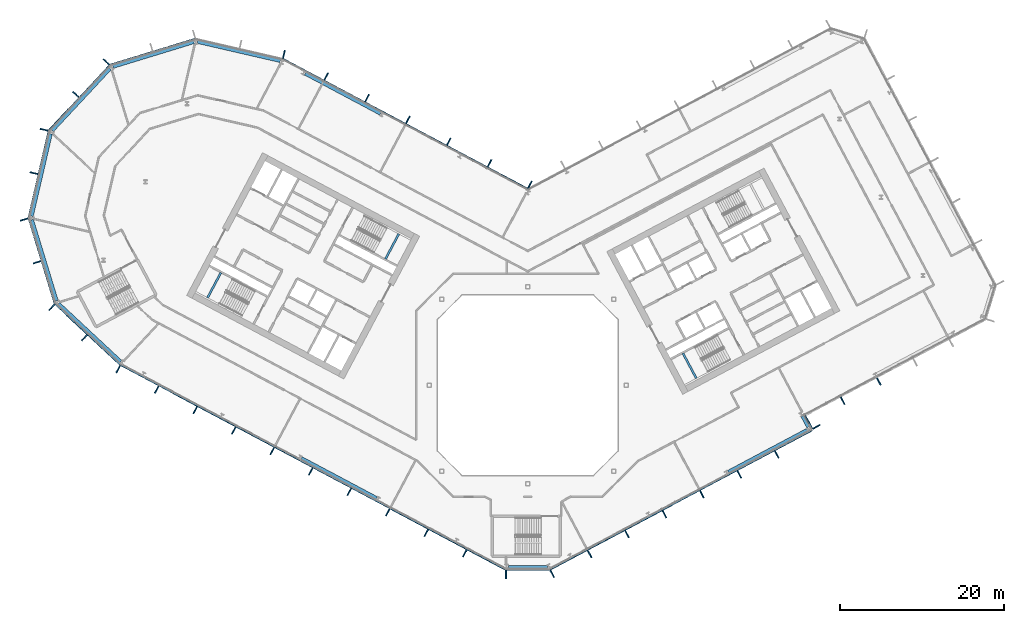
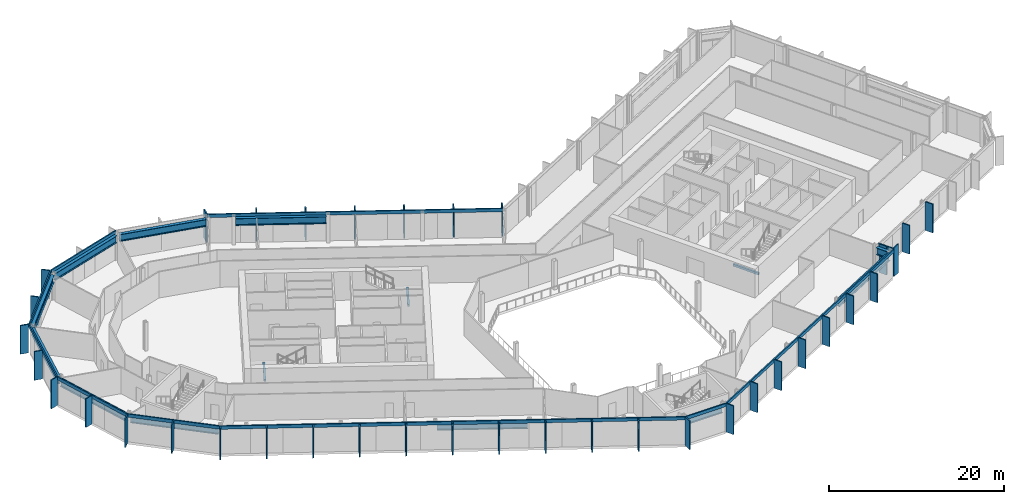
# One storey, part 9 of 28: 47 members, 14 beams, 12 elements without a shape of their own.
"""IFC4 building model written with IfcOpenShell, lengths in metres."""

from ifc_helpers import new_model, si_unit, direction, frame, origin, origin_2d, place, context, subcontext, project, spatial, rectangle, i_section, extrude, material, layer, layer_set, material_profile, profile_set, type_object, element, aggregate, save


model = new_model("IFC4")

# Units and contexts
model_context = context("Model", 3, precision=1e-05, world=origin(), true_north=direction((0.0, 1.0)))
body_context = subcontext(model_context, "Body", "Model", "MODEL_VIEW")
ifc_project = project(units=[si_unit("LENGTHUNIT", "METRE"), si_unit("AREAUNIT", "SQUARE_METRE"), si_unit("VOLUMEUNIT", "CUBIC_METRE"), si_unit("PLANEANGLEUNIT", "RADIAN"), si_unit("MASSUNIT", "GRAM", prefix="KILO")], contexts=[model_context])

# Site, building, storey
site_placement = place(None, origin())
site = spatial("IfcSite", under=ifc_project, at=site_placement, CompositionType="ELEMENT")
building_placement = place(site_placement, origin())
building = spatial("IfcBuilding", under=site, at=building_placement, Name="Cormorant Relay Tower", CompositionType="ELEMENT")
storey_placement = place(building_placement, frame((0.0, 0.0, 154.199951171875)))
storey = spatial("IfcBuildingStorey", under=building, at=storey_placement, Name="L32", CompositionType="ELEMENT", Elevation=154.199951171875)

# Curtain wall, member
ifc_material_1 = material(Name="Aluminium 6063-T6 anodised bronze", Category="aluminium")
ifc_layer = layer(ifc_material_1, 0.199951171875)
ifc_layer_set = layer_set([ifc_layer], Name="CW1 unitised bronze curtain wall with vertical fins")
curtain_wall_type = type_object("IfcCurtainWallType", Name="CW1 unitised bronze curtain wall with vertical fins", PredefinedType="NOTDEFINED", material=ifc_layer_set)
curtain_wall_1_placement = place(storey_placement, origin())
curtain_wall_1 = element("IfcCurtainWall", 1, at=curtain_wall_1_placement, inside=storey, type_object=curtain_wall_type, Name="CW1 curtain wall 1", PredefinedType="NOTDEFINED")
ifc_material_2 = material(Name="Aluminium 6063-T6 anodised bronze", Category="aluminium")
ifc_material_profile_1 = material_profile(ifc_material_2, rectangle(XDim=0.14990234375, YDim=1.0, at=origin_2d()), Name="AL 150x1000")
ifc_profile_set_1 = profile_set([ifc_material_profile_1], Name="Aluminium 6063-T6 anodised bronze")
member_type_1 = type_object("IfcMemberType", Name="CW1 bronze fin mullion 150 x 1000", PredefinedType="MULLION", material=ifc_profile_set_1)
member_1_placement = place(storey_placement, frame((-2.648681640625, -23.07568359375, 0.0), z_axis=(0.0, 0.0, 1.0), x_axis=(1.0, 0.0, 0.0)))
member_1 = element("IfcMember", 2, at=member_1_placement, type_object=member_type_1, Name="CW1 fin 1.1", PredefinedType="MULLION", context=body_context, shape_type="SweptSolid", body=[
    extrude(rectangle(XDim=0.14990234375, YDim=1.0, at=origin_2d()), origin(), (0.0, 0.0, 1.0), 4.0),
])

# Curtain wall, members
curtain_wall_2_placement = place(storey_placement, origin())
curtain_wall_2 = element("IfcCurtainWall", 3, at=curtain_wall_2_placement, inside=storey, type_object=curtain_wall_type, Name="CW1 curtain wall 2", PredefinedType="NOTDEFINED")
member_2_placement = place(storey_placement, frame((2.9775390625, -22.99365234375, 0.0), z_axis=(0.0, 0.0, 1.0), x_axis=(0.882947592859, 0.469471562786, 0.0)))
member_2 = element("IfcMember", 4, at=member_2_placement, type_object=member_type_1, Name="CW1 fin 2.1", PredefinedType="MULLION", context=body_context, shape_type="SweptSolid", body=[
    extrude(rectangle(XDim=0.14990234375, YDim=1.0, at=origin_2d()), origin(), (0.0, 0.0, 1.0), 4.0),
])
member_3_placement = place(storey_placement, frame((7.539306640625, -20.568115234375, 0.0), z_axis=(0.0, 0.0, 1.0), x_axis=(0.882947592859, 0.469471562786, 0.0)))
member_3 = element("IfcMember", 5, at=member_3_placement, type_object=member_type_1, Name="CW1 fin 2.2", PredefinedType="MULLION", context=body_context, shape_type="SweptSolid", body=[
    extrude(rectangle(XDim=0.14990234375, YDim=1.0, at=origin_2d()), origin(), (0.0, 0.0, 1.0), 4.0),
])
member_4_placement = place(storey_placement, frame((12.10107421875, -18.142578125, 0.0), z_axis=(0.0, 0.0, 1.0), x_axis=(0.882947592859, 0.469471562786, 0.0)))
member_4 = element("IfcMember", 6, at=member_4_placement, type_object=member_type_1, Name="CW1 fin 2.3", PredefinedType="MULLION", context=body_context, shape_type="SweptSolid", body=[
    extrude(rectangle(XDim=0.14990234375, YDim=1.0, at=origin_2d()), origin(), (0.0, 0.0, 1.0), 4.0),
])
member_5_placement = place(storey_placement, frame((16.662841796875, -15.717041015625, 0.0), z_axis=(0.0, 0.0, 1.0), x_axis=(0.882947592859, 0.469471562786, 0.0)))
member_5 = element("IfcMember", 7, at=member_5_placement, type_object=member_type_1, Name="CW1 fin 2.4", PredefinedType="MULLION", context=body_context, shape_type="SweptSolid", body=[
    extrude(rectangle(XDim=0.14990234375, YDim=1.0, at=origin_2d()), origin(), (0.0, 0.0, 1.0), 4.0),
])
member_6_placement = place(storey_placement, frame((21.224609375, -13.29150390625, 0.0), z_axis=(0.0, 0.0, 1.0), x_axis=(0.882947592859, 0.469471562786, 0.0)))
member_6 = element("IfcMember", 8, at=member_6_placement, type_object=member_type_1, Name="CW1 fin 2.5", PredefinedType="MULLION", context=body_context, shape_type="SweptSolid", body=[
    extrude(rectangle(XDim=0.14990234375, YDim=1.0, at=origin_2d()), origin(), (0.0, 0.0, 1.0), 4.0),
])
member_7_placement = place(storey_placement, frame((25.78662109375, -10.865966796875, 0.0), z_axis=(0.0, 0.0, 1.0), x_axis=(0.882947592859, 0.469471562786, 0.0)))
member_7 = element("IfcMember", 9, at=member_7_placement, type_object=member_type_1, Name="CW1 fin 2.6", PredefinedType="MULLION", context=body_context, shape_type="SweptSolid", body=[
    extrude(rectangle(XDim=0.14990234375, YDim=1.0, at=origin_2d()), origin(), (0.0, 0.0, 1.0), 4.0),
])
member_8_placement = place(storey_placement, frame((30.348388671875, -8.440185546875, 0.0), z_axis=(0.0, 0.0, 1.0), x_axis=(0.882947592859, 0.469471562786, 0.0)))
member_8 = element("IfcMember", 10, at=member_8_placement, type_object=member_type_1, Name="CW1 fin 2.7", PredefinedType="MULLION", context=body_context, shape_type="SweptSolid", body=[
    extrude(rectangle(XDim=0.14990234375, YDim=1.0, at=origin_2d()), origin(), (0.0, 0.0, 1.0), 4.0),
])

# Curtain wall, member
curtain_wall_3_placement = place(storey_placement, origin())
curtain_wall_3 = element("IfcCurtainWall", 11, at=curtain_wall_3_placement, inside=storey, type_object=curtain_wall_type, Name="CW1 curtain wall 3", PredefinedType="NOTDEFINED")
member_9_placement = place(storey_placement, frame((35.199462890625, -5.068115234375, 0.0), z_axis=(0.0, 0.0, 1.0), x_axis=(-0.469471562786, 0.882947592859, 0.0)))
member_9 = element("IfcMember", 12, at=member_9_placement, type_object=member_type_1, Name="CW1 fin 3.1", PredefinedType="MULLION", context=body_context, shape_type="SweptSolid", body=[
    extrude(rectangle(XDim=0.14990234375, YDim=1.0, at=origin_2d()), origin(), (0.0, 0.0, 1.0), 4.0),
])

# Curtain wall, members
curtain_wall_4_placement = place(storey_placement, origin())
curtain_wall_4 = element("IfcCurtainWall", 13, at=curtain_wall_4_placement, inside=storey, type_object=curtain_wall_type, Name="CW1 curtain wall 4", PredefinedType="NOTDEFINED")
member_10_placement = place(storey_placement, frame((34.037353515625, -4.213623046875, 0.0), z_axis=(0.0, 0.0, 1.0), x_axis=(0.882947592859, 0.469471562786, 0.0)))
member_10 = element("IfcMember", 14, at=member_10_placement, type_object=member_type_1, Name="CW1 fin 4.1", PredefinedType="MULLION", context=body_context, shape_type="SweptSolid", body=[
    extrude(rectangle(XDim=0.14990234375, YDim=1.0, at=origin_2d()), origin(), (0.0, 0.0, 1.0), 4.0),
])
member_11_placement = place(storey_placement, frame((38.385986328125, -1.901611328125, 0.0), z_axis=(0.0, 0.0, 1.0), x_axis=(0.882947592859, 0.469471562786, 0.0)))
member_11 = element("IfcMember", 15, at=member_11_placement, type_object=member_type_1, Name="CW1 fin 4.2", PredefinedType="MULLION", context=body_context, shape_type="SweptSolid", body=[
    extrude(rectangle(XDim=0.14990234375, YDim=1.0, at=origin_2d()), origin(), (0.0, 0.0, 1.0), 4.0),
])
member_12_placement = place(storey_placement, frame((42.800537109375, 0.44580078125, 0.0), z_axis=(0.0, 0.0, 1.0), x_axis=(0.882947592859, 0.469471562786, 0.0)))
member_12 = element("IfcMember", 16, at=member_12_placement, type_object=member_type_1, Name="CW1 fin 4.3", PredefinedType="MULLION", context=body_context, shape_type="SweptSolid", body=[
    extrude(rectangle(XDim=0.14990234375, YDim=1.0, at=origin_2d()), origin(), (0.0, 0.0, 1.0), 4.0),
])
aggregate(curtain_wall_4, [member_10, member_11, member_12])

curtain_wall_5_placement = place(storey_placement, origin())
curtain_wall_5 = element("IfcCurtainWall", 17, at=curtain_wall_5_placement, inside=storey, type_object=curtain_wall_type, Name="CW1 curtain wall 9", PredefinedType="NOTDEFINED")
member_13_placement = place(storey_placement, frame((0.262451171875, 24.437255859375, 0.0), z_axis=(0.0, 0.0, 1.0), x_axis=(-0.882947592859, 0.469471562786, 0.0)))
member_13 = element("IfcMember", 18, at=member_13_placement, type_object=member_type_1, Name="CW1 fin 9.1", PredefinedType="MULLION", context=body_context, shape_type="SweptSolid", body=[
    extrude(rectangle(XDim=0.14990234375, YDim=1.0, at=origin_2d()), origin(), (0.0, 0.0, 1.0), 4.0),
])
member_14_placement = place(storey_placement, frame((-4.650390625, 27.04931640625, 0.0), z_axis=(0.0, 0.0, 1.0), x_axis=(-0.882947592859, 0.469471562786, 0.0)))
member_14 = element("IfcMember", 19, at=member_14_placement, type_object=member_type_1, Name="CW1 fin 9.2", PredefinedType="MULLION", context=body_context, shape_type="SweptSolid", body=[
    extrude(rectangle(XDim=0.14990234375, YDim=1.0, at=origin_2d()), origin(), (0.0, 0.0, 1.0), 4.0),
])
member_15_placement = place(storey_placement, frame((-9.62939453125, 29.69677734375, 0.0), z_axis=(0.0, 0.0, 1.0), x_axis=(-0.882947592859, 0.469471562786, 0.0)))
member_15 = element("IfcMember", 20, at=member_15_placement, type_object=member_type_1, Name="CW1 fin 9.3", PredefinedType="MULLION", context=body_context, shape_type="SweptSolid", body=[
    extrude(rectangle(XDim=0.14990234375, YDim=1.0, at=origin_2d()), origin(), (0.0, 0.0, 1.0), 4.0),
])
member_16_placement = place(storey_placement, frame((-14.608154296875, 32.343994140625, 0.0), z_axis=(0.0, 0.0, 1.0), x_axis=(-0.882947592859, 0.469471562786, 0.0)))
member_16 = element("IfcMember", 21, at=member_16_placement, type_object=member_type_1, Name="CW1 fin 9.4", PredefinedType="MULLION", context=body_context, shape_type="SweptSolid", body=[
    extrude(rectangle(XDim=0.14990234375, YDim=1.0, at=origin_2d()), origin(), (0.0, 0.0, 1.0), 4.0),
])
member_17_placement = place(storey_placement, frame((-19.587158203125, 34.991455078125, 0.0), z_axis=(0.0, 0.0, 1.0), x_axis=(-0.882947592859, 0.469471562786, 0.0)))
member_17 = element("IfcMember", 22, at=member_17_placement, type_object=member_type_1, Name="CW1 fin 9.5", PredefinedType="MULLION", context=body_context, shape_type="SweptSolid", body=[
    extrude(rectangle(XDim=0.14990234375, YDim=1.0, at=origin_2d()), origin(), (0.0, 0.0, 1.0), 4.0),
])
member_18_placement = place(storey_placement, frame((-24.566162109375, 37.638916015625, 0.0), z_axis=(0.0, 0.0, 1.0), x_axis=(-0.882947592859, 0.469471562786, 0.0)))
member_18 = element("IfcMember", 23, at=member_18_placement, type_object=member_type_1, Name="CW1 fin 9.6", PredefinedType="MULLION", context=body_context, shape_type="SweptSolid", body=[
    extrude(rectangle(XDim=0.14990234375, YDim=1.0, at=origin_2d()), origin(), (0.0, 0.0, 1.0), 4.0),
])

# Curtain wall, member
curtain_wall_6_placement = place(storey_placement, origin())
curtain_wall_6 = element("IfcCurtainWall", 24, at=curtain_wall_6_placement, inside=storey, type_object=curtain_wall_type, Name="CW1 curtain wall 10", PredefinedType="NOTDEFINED")
member_19_placement = place(storey_placement, frame((-29.71630859375, 40.35009765625, 0.0), z_axis=(0.0, 0.0, 1.0), x_axis=(-0.974370064785, 0.224951054344, 0.0)))
member_19 = element("IfcMember", 25, at=member_19_placement, type_object=member_type_1, Name="CW1 fin 10.1", PredefinedType="MULLION", context=body_context, shape_type="SweptSolid", body=[
    extrude(rectangle(XDim=0.14990234375, YDim=1.0, at=origin_2d()), origin(), (0.0, 0.0, 1.0), 4.0),
])
aggregate(curtain_wall_6, [member_19])

# Curtain wall, members
curtain_wall_7_placement = place(storey_placement, origin())
curtain_wall_7 = element("IfcCurtainWall", 26, at=curtain_wall_7_placement, inside=storey, type_object=curtain_wall_type, Name="CW1 curtain wall 12", PredefinedType="NOTDEFINED")
member_20_placement = place(storey_placement, frame((-51.372802734375, 39.41259765625, 0.0), z_axis=(0.0, 0.0, 1.0), x_axis=(-0.681998360062, -0.731353701619, 0.0)))
member_20 = element("IfcMember", 27, at=member_20_placement, type_object=member_type_1, Name="CW1 fin 12.1", PredefinedType="MULLION", context=body_context, shape_type="SweptSolid", body=[
    extrude(rectangle(XDim=0.14990234375, YDim=1.0, at=origin_2d()), origin(), (0.0, 0.0, 1.0), 4.0),
])
member_21_placement = place(storey_placement, frame((-55.07958984375, 35.4375, 0.0), z_axis=(0.0, 0.0, 1.0), x_axis=(-0.681998360062, -0.731353701619, 0.0)))
member_21 = element("IfcMember", 28, at=member_21_placement, type_object=member_type_1, Name="CW1 fin 12.2", PredefinedType="MULLION", context=body_context, shape_type="SweptSolid", body=[
    extrude(rectangle(XDim=0.14990234375, YDim=1.0, at=origin_2d()), origin(), (0.0, 0.0, 1.0), 4.0),
])

curtain_wall_8_placement = place(storey_placement, origin())
curtain_wall_8 = element("IfcCurtainWall", 29, at=curtain_wall_8_placement, inside=storey, type_object=curtain_wall_type, Name="CW1 curtain wall 13", PredefinedType="NOTDEFINED")
member_22_placement = place(storey_placement, frame((-58.95654296875, 31.142578125, 0.0), z_axis=(0.0, 0.0, 1.0), x_axis=(-0.224951054344, -0.974370064785, 0.0)))
member_22 = element("IfcMember", 30, at=member_22_placement, type_object=member_type_1, Name="CW1 fin 13.1", PredefinedType="MULLION", context=body_context, shape_type="SweptSolid", body=[
    extrude(rectangle(XDim=0.14990234375, YDim=1.0, at=origin_2d()), origin(), (0.0, 0.0, 1.0), 4.0),
])
member_23_placement = place(storey_placement, frame((-60.17919921875, 25.8466796875, 0.0), z_axis=(0.0, 0.0, 1.0), x_axis=(-0.224951054344, -0.974370064785, 0.0)))
member_23 = element("IfcMember", 31, at=member_23_placement, type_object=member_type_1, Name="CW1 fin 13.2", PredefinedType="MULLION", context=body_context, shape_type="SweptSolid", body=[
    extrude(rectangle(XDim=0.14990234375, YDim=1.0, at=origin_2d()), origin(), (0.0, 0.0, 1.0), 4.0),
])

curtain_wall_9_placement = place(storey_placement, origin())
curtain_wall_9 = element("IfcCurtainWall", 32, at=curtain_wall_9_placement, inside=storey, type_object=curtain_wall_type, Name="CW1 curtain wall 14", PredefinedType="NOTDEFINED")
member_24_placement = place(storey_placement, frame((-61.389404296875, 20.188720703125, 0.0), z_axis=(0.0, 0.0, 1.0), x_axis=(0.292371704723, -0.956304755963, 0.0)))
member_24 = element("IfcMember", 33, at=member_24_placement, type_object=member_type_1, Name="CW1 fin 14.1", PredefinedType="MULLION", context=body_context, shape_type="SweptSolid", body=[
    extrude(rectangle(XDim=0.14990234375, YDim=1.0, at=origin_2d()), origin(), (0.0, 0.0, 1.0), 4.0),
])
member_25_placement = place(storey_placement, frame((-59.80029296875, 14.990966796875, 0.0), z_axis=(0.0, 0.0, 1.0), x_axis=(0.292371704723, -0.956304755963, 0.0)))
member_25 = element("IfcMember", 34, at=member_25_placement, type_object=member_type_1, Name="CW1 fin 14.2", PredefinedType="MULLION", context=body_context, shape_type="SweptSolid", body=[
    extrude(rectangle(XDim=0.14990234375, YDim=1.0, at=origin_2d()), origin(), (0.0, 0.0, 1.0), 4.0),
])

curtain_wall_10_placement = place(storey_placement, origin())
curtain_wall_10 = element("IfcCurtainWall", 35, at=curtain_wall_10_placement, inside=storey, type_object=curtain_wall_type, Name="CW1 curtain wall 15", PredefinedType="NOTDEFINED")
member_26_placement = place(storey_placement, frame((-58.01904296875, 9.486083984375, 0.0), z_axis=(0.0, 0.0, 1.0), x_axis=(0.731353701619, -0.681998360062, 0.0)))
member_26 = element("IfcMember", 36, at=member_26_placement, type_object=member_type_1, Name="CW1 fin 15.1", PredefinedType="MULLION", context=body_context, shape_type="SweptSolid", body=[
    extrude(rectangle(XDim=0.14990234375, YDim=1.0, at=origin_2d()), origin(), (0.0, 0.0, 1.0), 4.0),
])
member_27_placement = place(storey_placement, frame((-54.0439453125, 5.779296875, 0.0), z_axis=(0.0, 0.0, 1.0), x_axis=(0.731353701619, -0.681998360062, 0.0)))
member_27 = element("IfcMember", 37, at=member_27_placement, type_object=member_type_1, Name="CW1 fin 15.2", PredefinedType="MULLION", context=body_context, shape_type="SweptSolid", body=[
    extrude(rectangle(XDim=0.14990234375, YDim=1.0, at=origin_2d()), origin(), (0.0, 0.0, 1.0), 4.0),
])

curtain_wall_11_placement = place(storey_placement, origin())
curtain_wall_11 = element("IfcCurtainWall", 38, at=curtain_wall_11_placement, inside=storey, type_object=curtain_wall_type, Name="CW1 curtain wall 16", PredefinedType="NOTDEFINED")
member_28_placement = place(storey_placement, frame((-49.920166015625, 1.96630859375, 0.0), z_axis=(0.0, 0.0, 1.0), x_axis=(0.882947592859, -0.469471562786, 0.0)))
member_28 = element("IfcMember", 39, at=member_28_placement, type_object=member_type_1, Name="CW1 fin 16.1", PredefinedType="MULLION", context=body_context, shape_type="SweptSolid", body=[
    extrude(rectangle(XDim=0.14990234375, YDim=1.0, at=origin_2d()), origin(), (0.0, 0.0, 1.0), 4.0),
])
member_29_placement = place(storey_placement, frame((-45.225830078125, -0.52978515625, 0.0), z_axis=(0.0, 0.0, 1.0), x_axis=(0.882947592859, -0.469471562786, 0.0)))
member_29 = element("IfcMember", 40, at=member_29_placement, type_object=member_type_1, Name="CW1 fin 16.2", PredefinedType="MULLION", context=body_context, shape_type="SweptSolid", body=[
    extrude(rectangle(XDim=0.14990234375, YDim=1.0, at=origin_2d()), origin(), (0.0, 0.0, 1.0), 4.0),
])
member_30_placement = place(storey_placement, frame((-40.531494140625, -3.025634765625, 0.0), z_axis=(0.0, 0.0, 1.0), x_axis=(0.882947592859, -0.469471562786, 0.0)))
member_30 = element("IfcMember", 41, at=member_30_placement, type_object=member_type_1, Name="CW1 fin 16.3", PredefinedType="MULLION", context=body_context, shape_type="SweptSolid", body=[
    extrude(rectangle(XDim=0.14990234375, YDim=1.0, at=origin_2d()), origin(), (0.0, 0.0, 1.0), 4.0),
])
member_31_placement = place(storey_placement, frame((-35.83740234375, -5.521728515625, 0.0), z_axis=(0.0, 0.0, 1.0), x_axis=(0.882947592859, -0.469471562786, 0.0)))
member_31 = element("IfcMember", 42, at=member_31_placement, type_object=member_type_1, Name="CW1 fin 16.4", PredefinedType="MULLION", context=body_context, shape_type="SweptSolid", body=[
    extrude(rectangle(XDim=0.14990234375, YDim=1.0, at=origin_2d()), origin(), (0.0, 0.0, 1.0), 4.0),
])
member_32_placement = place(storey_placement, frame((-31.14306640625, -8.017578125, 0.0), z_axis=(0.0, 0.0, 1.0), x_axis=(0.882947592859, -0.469471562786, 0.0)))
member_32 = element("IfcMember", 43, at=member_32_placement, type_object=member_type_1, Name="CW1 fin 16.5", PredefinedType="MULLION", context=body_context, shape_type="SweptSolid", body=[
    extrude(rectangle(XDim=0.14990234375, YDim=1.0, at=origin_2d()), origin(), (0.0, 0.0, 1.0), 4.0),
])
member_33_placement = place(storey_placement, frame((-26.44873046875, -10.513671875, 0.0), z_axis=(0.0, 0.0, 1.0), x_axis=(0.882947592859, -0.469471562786, 0.0)))
member_33 = element("IfcMember", 44, at=member_33_placement, type_object=member_type_1, Name="CW1 fin 16.6", PredefinedType="MULLION", context=body_context, shape_type="SweptSolid", body=[
    extrude(rectangle(XDim=0.14990234375, YDim=1.0, at=origin_2d()), origin(), (0.0, 0.0, 1.0), 4.0),
])
member_34_placement = place(storey_placement, frame((-21.754638671875, -13.009765625, 0.0), z_axis=(0.0, 0.0, 1.0), x_axis=(0.882947592859, -0.469471562786, 0.0)))
member_34 = element("IfcMember", 45, at=member_34_placement, type_object=member_type_1, Name="CW1 fin 16.7", PredefinedType="MULLION", context=body_context, shape_type="SweptSolid", body=[
    extrude(rectangle(XDim=0.14990234375, YDim=1.0, at=origin_2d()), origin(), (0.0, 0.0, 1.0), 4.0),
])
member_35_placement = place(storey_placement, frame((-17.060302734375, -15.505615234375, 0.0), z_axis=(0.0, 0.0, 1.0), x_axis=(0.882947592859, -0.469471562786, 0.0)))
member_35 = element("IfcMember", 46, at=member_35_placement, type_object=member_type_1, Name="CW1 fin 16.8", PredefinedType="MULLION", context=body_context, shape_type="SweptSolid", body=[
    extrude(rectangle(XDim=0.14990234375, YDim=1.0, at=origin_2d()), origin(), (0.0, 0.0, 1.0), 4.0),
])
member_36_placement = place(storey_placement, frame((-12.365966796875, -18.001708984375, 0.0), z_axis=(0.0, 0.0, 1.0), x_axis=(0.882947592859, -0.469471562786, 0.0)))
member_36 = element("IfcMember", 47, at=member_36_placement, type_object=member_type_1, Name="CW1 fin 16.9", PredefinedType="MULLION", context=body_context, shape_type="SweptSolid", body=[
    extrude(rectangle(XDim=0.14990234375, YDim=1.0, at=origin_2d()), origin(), (0.0, 0.0, 1.0), 4.0),
])
member_37_placement = place(storey_placement, frame((-7.671630859375, -20.49755859375, 0.0), z_axis=(0.0, 0.0, 1.0), x_axis=(0.882947592859, -0.469471562786, 0.0)))
member_37 = element("IfcMember", 48, at=member_37_placement, type_object=member_type_1, Name="CW1 fin 16.10", PredefinedType="MULLION", context=body_context, shape_type="SweptSolid", body=[
    extrude(rectangle(XDim=0.14990234375, YDim=1.0, at=origin_2d()), origin(), (0.0, 0.0, 1.0), 4.0),
])

# Member
ifc_material_3 = material(Name="Aluminium 6063-T6 anodised bronze", Category="aluminium")
ifc_material_profile_2 = material_profile(ifc_material_3, rectangle(XDim=0.159912109375, YDim=0.449951171875, at=origin_2d()), Name="AL 160x450")
ifc_profile_set_2 = profile_set([ifc_material_profile_2], Name="Aluminium 6063-T6 anodised bronze")
member_type_2 = type_object("IfcMemberType", Name="CW1 bronze transom 160 x 450", PredefinedType="USERDEFINED", material=ifc_profile_set_2)
member_38_placement = place(storey_placement, frame((-2.648681640625, -22.49560546875, 3.775146484375), z_axis=(1.0, 0.0, 0.0), x_axis=(0.0, 1.0, 0.0)))
member_38 = element("IfcMember", 49, at=member_38_placement, type_object=member_type_2, Name="CW1 transom 1", ObjectType="TRANSOM", PredefinedType="USERDEFINED", context=body_context, shape_type="SweptSolid", body=[
    extrude(rectangle(XDim=0.159912109375, YDim=0.449951171875, at=origin_2d()), origin(), (0.0, 0.0, 1.0), 5.29736328125),
])

aggregate(curtain_wall_1, [member_1, member_38])

member_39_placement = place(storey_placement, frame((2.705078125, -22.4814453125, 3.775146484375), z_axis=(0.882948899141, 0.469469106018, 0.0), x_axis=(-0.469469106018, 0.882948899141, 0.0)))
member_39 = element("IfcMember", 50, at=member_39_placement, type_object=member_type_2, Name="CW1 transom 2", ObjectType="TRANSOM", PredefinedType="USERDEFINED", context=body_context, shape_type="SweptSolid", body=[
    extrude(rectangle(XDim=0.159912109375, YDim=0.449951171875, at=origin_2d()), origin(), (0.0, 0.0, 1.0), 36.165771484375),
])

aggregate(curtain_wall_2, [member_2, member_3, member_4, member_5, member_6, member_7, member_8, member_39])

member_40_placement = place(storey_placement, frame((34.6875, -5.34033203125, 3.775146484375), z_axis=(-0.469580583036, 0.88288961713, 0.0), x_axis=(-0.88288961713, -0.469580583036, 0.0)))
member_40 = element("IfcMember", 51, at=member_40_placement, type_object=member_type_2, Name="CW1 transom 3", ObjectType="TRANSOM", PredefinedType="USERDEFINED", context=body_context, shape_type="SweptSolid", body=[
    extrude(rectangle(XDim=0.159912109375, YDim=0.449951171875, at=origin_2d()), origin(), (0.0, 0.0, 1.0), 2.0),
])

aggregate(curtain_wall_3, [member_9, member_40])

member_41_placement = place(storey_placement, frame((0.056396484375, 23.889892578125, 3.775146484375), z_axis=(-0.882946280328, 0.46947403129, 0.0), x_axis=(-0.46947403129, -0.882946280328, 0.0)))
member_41 = element("IfcMember", 52, at=member_41_placement, type_object=member_type_2, Name="CW1 transom 9", ObjectType="TRANSOM", PredefinedType="USERDEFINED", context=body_context, shape_type="SweptSolid", body=[
    extrude(rectangle(XDim=0.159912109375, YDim=0.449951171875, at=origin_2d()), origin(), (0.0, 0.0, 1.0), 33.834228515625),
])

aggregate(curtain_wall_5, [member_13, member_14, member_15, member_16, member_17, member_18, member_41])

# Curtain wall, member
curtain_wall_12_placement = place(storey_placement, origin())
curtain_wall_12 = element("IfcCurtainWall", 53, at=curtain_wall_12_placement, inside=storey, type_object=curtain_wall_type, Name="CW1 curtain wall 11", PredefinedType="NOTDEFINED")
member_42_placement = place(storey_placement, frame((-40.50048828125, 42.228271484375, 3.775146484375), z_axis=(-0.956304833932, -0.292371449698, 0.0), x_axis=(0.292371449698, -0.956304833932, 0.0)))
member_42 = element("IfcMember", 54, at=member_42_placement, type_object=member_type_2, Name="CW1 transom 11", ObjectType="TRANSOM", PredefinedType="USERDEFINED", context=body_context, shape_type="SweptSolid", body=[
    extrude(rectangle(XDim=0.159912109375, YDim=0.449951171875, at=origin_2d()), origin(), (0.0, 0.0, 1.0), 10.87060546875),
])
aggregate(curtain_wall_12, [member_42])

# Member
member_43_placement = place(storey_placement, frame((-50.94873046875, 39.01708984375, 3.775146484375), z_axis=(-0.681993299437, -0.731358420696, 0.0), x_axis=(0.731358420696, -0.681993299437, 0.0)))
member_43 = element("IfcMember", 55, at=member_43_placement, type_object=member_type_2, Name="CW1 transom 12", ObjectType="TRANSOM", PredefinedType="USERDEFINED", context=body_context, shape_type="SweptSolid", body=[
    extrude(rectangle(XDim=0.159912109375, YDim=0.449951171875, at=origin_2d()), origin(), (0.0, 0.0, 1.0), 10.870361328125),
])

aggregate(curtain_wall_7, [member_20, member_21, member_43])

member_44_placement = place(storey_placement, frame((-58.3916015625, 31.01220703125, 3.775146484375), z_axis=(-0.22495136131, -0.974369993916, 0.0), x_axis=(0.974369993916, -0.22495136131, 0.0)))
member_44 = element("IfcMember", 56, at=member_44_placement, type_object=member_type_2, Name="CW1 transom 13", ObjectType="TRANSOM", PredefinedType="USERDEFINED", context=body_context, shape_type="SweptSolid", body=[
    extrude(rectangle(XDim=0.159912109375, YDim=0.449951171875, at=origin_2d()), origin(), (0.0, 0.0, 1.0), 10.870361328125),
])

aggregate(curtain_wall_8, [member_22, member_23, member_44])

member_45_placement = place(storey_placement, frame((-60.834716796875, 20.358154296875, 3.775146484375), z_axis=(0.292377729282, -0.95630291405, 0.0), x_axis=(0.95630291405, 0.292377729282, 0.0)))
member_45 = element("IfcMember", 57, at=member_45_placement, type_object=member_type_2, Name="CW1 transom 14", ObjectType="TRANSOM", PredefinedType="USERDEFINED", context=body_context, shape_type="SweptSolid", body=[
    extrude(rectangle(XDim=0.159912109375, YDim=0.449951171875, at=origin_2d()), origin(), (0.0, 0.0, 1.0), 10.870361328125),
])

aggregate(curtain_wall_9, [member_24, member_25, member_45])

member_46_placement = place(storey_placement, frame((-57.62353515625, 9.91015625, 3.775146484375), z_axis=(0.731358420696, -0.681993299437, 0.0), x_axis=(0.681993299437, 0.731358420696, 0.0)))
member_46 = element("IfcMember", 58, at=member_46_placement, type_object=member_type_2, Name="CW1 transom 15", ObjectType="TRANSOM", PredefinedType="USERDEFINED", context=body_context, shape_type="SweptSolid", body=[
    extrude(rectangle(XDim=0.159912109375, YDim=0.449951171875, at=origin_2d()), origin(), (0.0, 0.0, 1.0), 10.870361328125),
])

aggregate(curtain_wall_10, [member_26, member_27, member_46])

member_47_placement = place(storey_placement, frame((-49.64794921875, 2.478515625, 3.775146484375), z_axis=(0.882947642542, -0.469471469346, 0.0), x_axis=(0.469471469346, 0.882947642542, 0.0)))
member_47 = element("IfcMember", 59, at=member_47_placement, type_object=member_type_2, Name="CW1 transom 16", ObjectType="TRANSOM", PredefinedType="USERDEFINED", context=body_context, shape_type="SweptSolid", body=[
    extrude(rectangle(XDim=0.159912109375, YDim=0.449951171875, at=origin_2d()), origin(), (0.0, 0.0, 1.0), 53.166015625),
])

aggregate(curtain_wall_11, [member_28, member_29, member_30, member_31, member_32, member_33, member_34, member_35, member_36, member_37, member_47])

# Beams
ifc_material_4 = material(Name="Steel ASTM A992 (Fy 345 MPa)", Category="steel")
ifc_material_profile_3 = material_profile(ifc_material_4, i_section(OverallWidth=0.4013671875, OverallDepth=1.000732421875, WebThickness=0.01904296875, FlangeThickness=0.0361328125, FilletRadius=0.02978515625, at=origin_2d()), Name="W1000x371")
ifc_profile_set_3 = profile_set([ifc_material_profile_3], Name="Steel ASTM A992 (Fy 345 MPa)")
beam_type_1 = type_object("IfcBeamType", Name="Spandrel W1000x371", PredefinedType="SPANDREL", material=ifc_profile_set_3)
beam_1_placement = place(storey_placement, frame((-2.35888671875, -22.1748046875, 3.1396484375), z_axis=(1.0, 0.0, 0.0), x_axis=(0.0, 1.0, 0.0)))
element("IfcBeam", 60, at=beam_1_placement, inside=storey, type_object=beam_type_1, Name="Spandrel beam L32-001", PredefinedType="SPANDREL", context=body_context, shape_type="SweptSolid", body=[
    extrude(i_section(OverallWidth=0.4013671875, OverallDepth=1.000732421875, WebThickness=0.01904296875, FlangeThickness=0.0361328125, FilletRadius=0.02978515625, at=origin_2d()), origin(), (0.0, 0.0, 1.0), 4.748046875),
])
beam_2_placement = place(storey_placement, frame((24.427001953125, -10.568603515625, 3.1396484375), z_axis=(0.88295524081, 0.469457178799, 0.0), x_axis=(-0.469457178799, 0.88295524081, 0.0)))
element("IfcBeam", 61, at=beam_2_placement, inside=storey, type_object=beam_type_1, Name="Spandrel beam L32-002", PredefinedType="SPANDREL", context=body_context, shape_type="SweptSolid", body=[
    extrude(i_section(OverallWidth=0.4013671875, OverallDepth=1.000732421875, WebThickness=0.01904296875, FlangeThickness=0.0361328125, FilletRadius=0.02978515625, at=origin_2d()), origin(), (0.0, 0.0, 1.0), 10.915771484375),
])
beam_3_placement = place(storey_placement, frame((34.191650390625, -5.091064453125, 3.1396484375), z_axis=(-0.469471937736, 0.882947393494, 0.0), x_axis=(-0.882947393494, -0.469471937736, 0.0)))
element("IfcBeam", 62, at=beam_3_placement, inside=storey, type_object=beam_type_1, Name="Spandrel beam L32-003", PredefinedType="SPANDREL", context=body_context, shape_type="SweptSolid", body=[
    extrude(i_section(OverallWidth=0.4013671875, OverallDepth=1.000732421875, WebThickness=0.01904296875, FlangeThickness=0.0361328125, FilletRadius=0.02978515625, at=origin_2d()), origin(), (0.0, 0.0, 1.0), 1.521728515625),
])
beam_4_placement = place(storey_placement, frame((-17.964599609375, 33.108642578125, 3.1396484375), z_axis=(-0.882946180893, 0.469474218299, 0.0), x_axis=(-0.469474218299, -0.882946180893, 0.0)))
element("IfcBeam", 63, at=beam_4_placement, inside=storey, type_object=beam_type_1, Name="Spandrel beam L32-009", PredefinedType="SPANDREL", context=body_context, shape_type="SweptSolid", body=[
    extrude(i_section(OverallWidth=0.4013671875, OverallDepth=1.000732421875, WebThickness=0.01904296875, FlangeThickness=0.0361328125, FilletRadius=0.02978515625, at=origin_2d()), origin(), (0.0, 0.0, 1.0), 10.388671875),
])
beam_5_placement = place(storey_placement, frame((-30.162109375, 39.52880859375, 3.1396484375), z_axis=(-0.974371727644, 0.224943851591, 0.0), x_axis=(-0.224943851591, -0.974371727644, 0.0)))
element("IfcBeam", 64, at=beam_5_placement, inside=storey, type_object=beam_type_1, Name="Spandrel beam L32-010", PredefinedType="SPANDREL", context=body_context, shape_type="SweptSolid", body=[
    extrude(i_section(OverallWidth=0.4013671875, OverallDepth=1.000732421875, WebThickness=0.01904296875, FlangeThickness=0.0361328125, FilletRadius=0.02978515625, at=origin_2d()), origin(), (0.0, 0.0, 1.0), 10.3583984375),
])
beam_6_placement = place(storey_placement, frame((-40.69140625, 41.834716796875, 3.1396484375), z_axis=(-0.95629714744, -0.292396589921, 0.0), x_axis=(0.292396589921, -0.95629714744, 0.0)))
element("IfcBeam", 65, at=beam_6_placement, inside=storey, type_object=beam_type_1, Name="Spandrel beam L32-011", PredefinedType="SPANDREL", context=body_context, shape_type="SweptSolid", body=[
    extrude(i_section(OverallWidth=0.4013671875, OverallDepth=1.000732421875, WebThickness=0.01904296875, FlangeThickness=0.0361328125, FilletRadius=0.02978515625, at=origin_2d()), origin(), (0.0, 0.0, 1.0), 10.31103515625),
])
beam_7_placement = place(storey_placement, frame((-50.917236328125, 38.58056640625, 3.1396484375), z_axis=(-0.682003508788, -0.731348900321, 0.0), x_axis=(0.731348900321, -0.682003508788, 0.0)))
element("IfcBeam", 66, at=beam_7_placement, inside=storey, type_object=beam_type_1, Name="Spandrel beam L32-012", PredefinedType="SPANDREL", context=body_context, shape_type="SweptSolid", body=[
    extrude(i_section(OverallWidth=0.4013671875, OverallDepth=1.000732421875, WebThickness=0.01904296875, FlangeThickness=0.0361328125, FilletRadius=0.02978515625, at=origin_2d()), origin(), (0.0, 0.0, 1.0), 10.310791015625),
])
for number, where, z_axis, x_axis, name in (
    (67, (-58.14599609375, 30.64990234375, 3.1396484375), (-0.224951162328, -0.974370039855, 0.0), (0.974370039855, -0.224951162328, 0.0), "Spandrel beam L32-013"),
    (68, (-60.44091796875, 20.16748046875, 3.1396484375), (0.292366522639, -0.95630634027, 0.0), (0.95630634027, 0.292366522639, 0.0), "Spandrel beam L32-014"),
):
    element("IfcBeam", number, at=place(storey_placement, frame(where, z_axis=z_axis, x_axis=x_axis)), inside=storey, type_object=beam_type_1, Name=name, PredefinedType="SPANDREL", context=body_context, shape_type="SweptSolid", body=[
        extrude(i_section(OverallWidth=0.4013671875, OverallDepth=1.000732421875, WebThickness=0.01904296875, FlangeThickness=0.0361328125, FilletRadius=0.02978515625, at=origin_2d()), origin(), (0.0, 0.0, 1.0), 10.310302734375),
    ])
beam_8_placement = place(storey_placement, frame((-57.1875, 9.94189453125, 3.1396484375), z_axis=(0.731351225545, -0.682001015317, 0.0), x_axis=(0.682001015317, 0.731351225545, 0.0)))
element("IfcBeam", 69, at=beam_8_placement, inside=storey, type_object=beam_type_1, Name="Spandrel beam L32-015", PredefinedType="SPANDREL", context=body_context, shape_type="SweptSolid", body=[
    extrude(i_section(OverallWidth=0.4013671875, OverallDepth=1.000732421875, WebThickness=0.01904296875, FlangeThickness=0.0361328125, FilletRadius=0.02978515625, at=origin_2d()), origin(), (0.0, 0.0, 1.0), 10.33935546875),
])
beam_9_placement = place(storey_placement, frame((-27.595458984375, -8.8837890625, 3.1396484375), z_axis=(0.882941619164, -0.4694827975, 0.0), x_axis=(0.4694827975, 0.882941619164, 0.0)))
element("IfcBeam", 70, at=beam_9_placement, inside=storey, type_object=beam_type_1, Name="Spandrel beam L32-016", PredefinedType="SPANDREL", context=body_context, shape_type="SweptSolid", body=[
    extrude(i_section(OverallWidth=0.4013671875, OverallDepth=1.000732421875, WebThickness=0.01904296875, FlangeThickness=0.0361328125, FilletRadius=0.02978515625, at=origin_2d()), origin(), (0.0, 0.0, 1.0), 10.388916015625),
])
ifc_material_5 = material(Name="Concrete 50 MPa", Category="concrete")
ifc_material_profile_4 = material_profile(ifc_material_5, rectangle(XDim=0.25, YDim=0.300048828125, at=origin_2d()), Name="RC 250x300")
ifc_profile_set_4 = profile_set([ifc_material_profile_4], Name="Concrete 50 MPa")
beam_type_2 = type_object("IfcBeamType", Name="Stair landing ledge beam 250x300", PredefinedType="BEAM", material=ifc_profile_set_4)
for number, where, z_axis, x_axis, name in (
    (71, (-17.338623046875, 15.3916015625, 1.650146484375), (0.469463917486, 0.882951657895, 0.0), (-0.882951657895, 0.469463917486, 0.0), "A1 landing ledge beam"),
    (72, (-37.404052734375, 13.715576171875, 1.650146484375), (-0.469463917486, -0.882951657895, 0.0), (0.882951657895, -0.469463917486, 0.0), "A2 landing ledge beam"),
    (73, (18.924072265625, 3.8896484375, 1.650146484375), (0.469463917486, -0.882951657895, 0.0), (0.882951657895, 0.469463917486, 0.0), "B1 landing ledge beam"),
):
    element("IfcBeam", number, at=place(storey_placement, frame(where, z_axis=z_axis, x_axis=x_axis)), inside=storey, type_object=beam_type_2, Name=name, PredefinedType="BEAM", context=body_context, shape_type="SweptSolid", body=[
        extrude(rectangle(XDim=0.25, YDim=0.300048828125, at=origin_2d()), origin(), (0.0, 0.0, 1.0), 3.449951171875),
    ])

save(model, "model.ifc")
